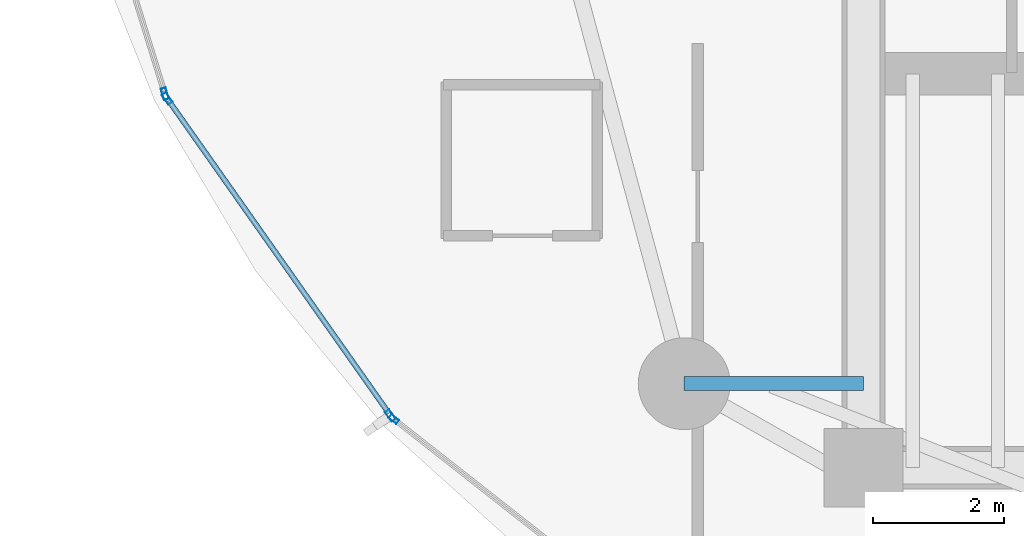
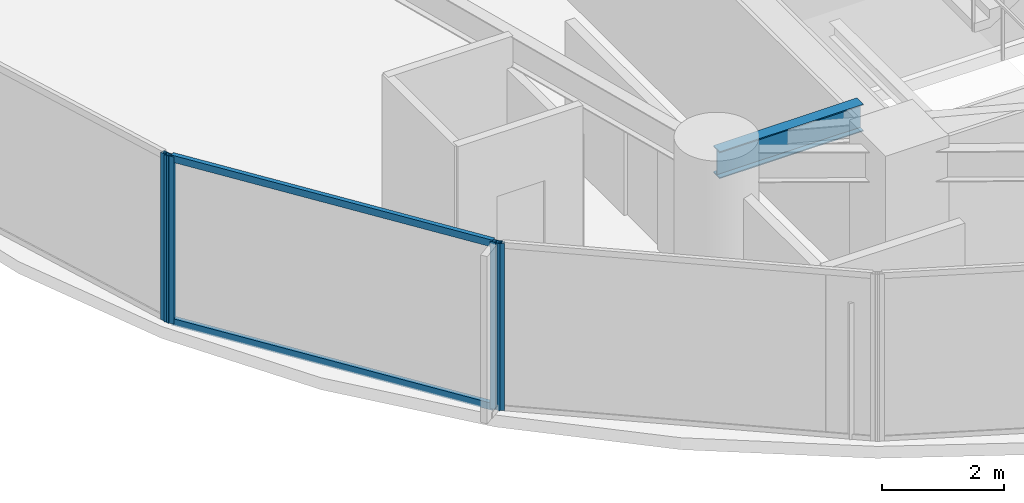
# One storey, part 3 of 31: 6 members, 1 beam, 3 elements without a shape of their own.
"""IFC4 building model written with IfcOpenShell, lengths in metres."""

from ifc_helpers import new_model, si_unit, direction, frame, origin, origin_2d, place, context, subcontext, project, spatial, hollow_rectangle, i_section, extrude, material, layer, layer_set, material_profile, profile_set, type_object, element, aggregate, save


model = new_model("IFC4")

# Units and contexts
model_context = context("Model", 3, precision=1e-05, world=origin(), true_north=direction((0.0, 1.0)))
body_context = subcontext(model_context, "Body", "Model", "MODEL_VIEW")
ifc_project = project(units=[si_unit("LENGTHUNIT", "METRE"), si_unit("AREAUNIT", "SQUARE_METRE"), si_unit("VOLUMEUNIT", "CUBIC_METRE"), si_unit("PLANEANGLEUNIT", "RADIAN"), si_unit("MASSUNIT", "GRAM", prefix="KILO")], contexts=[model_context])

# Site, building, storey
site_placement = place(None, origin())
site = spatial("IfcSite", under=ifc_project, at=site_placement, CompositionType="ELEMENT")
building_placement = place(site_placement, origin())
building = spatial("IfcBuilding", under=site, at=building_placement, Name="Kazevale Care Tower and Concert Hall", CompositionType="ELEMENT")
storey_placement = place(building_placement, frame((0.0, 0.0, 56.39990234375)))
storey = spatial("IfcBuildingStorey", under=building, at=storey_placement, Name="L14", CompositionType="ELEMENT", Elevation=56.39990234375)

# Curtain wall, members
ifc_material_1 = material(Name="Aluminium 6063-T6 and Low-E Glass", Category="aluminium")
ifc_layer_1 = layer(ifc_material_1, 0.179931640625)
ifc_layer_set_1 = layer_set([ifc_layer_1], Name="Aluminium 6063-T6 and Low-E Glass")
curtain_wall_type_1 = type_object("IfcCurtainWallType", Name="Waist & Upper Residential Curtain Wall CW-4", PredefinedType="NOTDEFINED", material=ifc_layer_set_1)
curtain_wall_1_placement = place(storey_placement, origin())
curtain_wall_1 = element("IfcCurtainWall", 1, at=curtain_wall_1_placement, inside=storey, type_object=curtain_wall_type_1, Name="cw:L14:f11", PredefinedType="NOTDEFINED")
ifc_material_2 = material(Name="Aluminium 6063-T6", Category="aluminium")
ifc_material_profile_1 = material_profile(ifc_material_2, hollow_rectangle(XDim=0.080078125, YDim=0.179931640625, WallThickness=0.0048828125, at=origin_2d()), Name="ALU80x180x5")
ifc_profile_set_1 = profile_set([ifc_material_profile_1], Name="Aluminium 6063-T6")
member_type_1 = type_object("IfcMemberType", Name="CW-4 Mullion ALU80x180x5", PredefinedType="MULLION", material=ifc_profile_set_1)
member_1_placement = place(storey_placement, frame((14.794921875, 24.396728515625, 0.0), z_axis=(0.0, 0.0, 1.0), x_axis=(-0.817564654583, -0.575836813322, 0.0)))
member_1 = element("IfcMember", 2, at=member_1_placement, type_object=member_type_1, Name="CW-4 mullion 1", PredefinedType="MULLION", context=body_context, shape_type="SweptSolid", body=[
    extrude(hollow_rectangle(XDim=0.080078125, YDim=0.179931640625, WallThickness=0.0048828125, at=origin_2d()), origin(), (0.0, 0.0, 1.0), 3.360107421875),
])
member_2_placement = place(storey_placement, frame((11.39404296875, 29.225341796875, 0.0), z_axis=(0.0, 0.0, 1.0), x_axis=(-0.817564654583, -0.575836813322, 0.0)))
member_2 = element("IfcMember", 3, at=member_2_placement, type_object=member_type_1, Name="CW-4 mullion 2", PredefinedType="MULLION", context=body_context, shape_type="SweptSolid", body=[
    extrude(hollow_rectangle(XDim=0.080078125, YDim=0.179931640625, WallThickness=0.0048828125, at=origin_2d()), origin(), (0.0, 0.0, 1.0), 3.360107421875),
])

# Curtain wall, member
curtain_wall_2_placement = place(storey_placement, origin())
curtain_wall_2 = element("IfcCurtainWall", 4, at=curtain_wall_2_placement, inside=storey, type_object=curtain_wall_type_1, Name="cw:L14:f12", PredefinedType="NOTDEFINED")
member_3_placement = place(storey_placement, frame((11.359130859375, 29.296142578125, 0.0), z_axis=(0.0, 0.0, 1.0), x_axis=(-0.955157326175, -0.296098771112, 0.0)))
member_3 = element("IfcMember", 5, at=member_3_placement, type_object=member_type_1, Name="CW-4 mullion 1", PredefinedType="MULLION", context=body_context, shape_type="SweptSolid", body=[
    extrude(hollow_rectangle(XDim=0.080078125, YDim=0.179931640625, WallThickness=0.0048828125, at=origin_2d()), origin(), (0.0, 0.0, 1.0), 3.360107421875),
])
aggregate(curtain_wall_2, [member_3])

# Member
ifc_material_profile_2 = material_profile(ifc_material_2, hollow_rectangle(XDim=0.080078125, YDim=0.139892578125, WallThickness=0.00390625, at=origin_2d()), Name="ALU80x140x4")
ifc_profile_set_2 = profile_set([ifc_material_profile_2], Name="Aluminium 6063-T6")
member_type_2 = type_object("IfcMemberType", Name="CW-4 Transom ALU80x140x4", PredefinedType="USERDEFINED", material=ifc_profile_set_2)
member_4_placement = place(storey_placement, frame((14.77197265625, 24.429443359375, 0.0400390625), z_axis=(-0.575850423039, 0.817555068657, 0.0), x_axis=(-0.817555068657, -0.575850423039, 0.0)))
member_4 = element("IfcMember", 6, at=member_4_placement, type_object=member_type_2, Name="CW-4 transom 1.1", ObjectType="TRANSOM", PredefinedType="USERDEFINED", context=body_context, shape_type="SweptSolid", body=[
    extrude(hollow_rectangle(XDim=0.080078125, YDim=0.139892578125, WallThickness=0.00390625, at=origin_2d()), origin(), (0.0, 0.0, 1.0), 5.826171875),
])

member_5_placement = place(storey_placement, frame((14.77197265625, 24.429443359375, 3.320068359375), z_axis=(-0.575850423039, 0.817555068657, 0.0), x_axis=(-0.817555068657, -0.575850423039, 0.0)))
member_5 = element("IfcMember", 7, at=member_5_placement, type_object=member_type_2, Name="CW-4 transom 1.2", ObjectType="TRANSOM", PredefinedType="USERDEFINED", context=body_context, shape_type="SweptSolid", body=[
    extrude(hollow_rectangle(XDim=0.080078125, YDim=0.139892578125, WallThickness=0.00390625, at=origin_2d()), origin(), (0.0, 0.0, 1.0), 5.826171875),
])

aggregate(curtain_wall_1, [member_1, member_2, member_4, member_5])

# Curtain wall, member
ifc_layer_2 = layer(ifc_material_1, 0.179931640625)
ifc_layer_set_2 = layer_set([ifc_layer_2], Name="Aluminium 6063-T6 and Low-E Glass")
curtain_wall_type_2 = type_object("IfcCurtainWallType", Name="Sheltered Concave Balcony Curtain Wall CW-5", PredefinedType="NOTDEFINED", material=ifc_layer_set_2)
curtain_wall_3_placement = place(storey_placement, origin())
curtain_wall_3 = element("IfcCurtainWall", 8, at=curtain_wall_3_placement, inside=storey, type_object=curtain_wall_type_2, Name="cw:L14:f10", PredefinedType="NOTDEFINED")
ifc_material_profile_3 = material_profile(ifc_material_2, hollow_rectangle(XDim=0.074951171875, YDim=0.14990234375, WallThickness=0.00390625, at=origin_2d()), Name="ALU75x150x4")
ifc_profile_set_3 = profile_set([ifc_material_profile_3], Name="Aluminium 6063-T6")
member_type_3 = type_object("IfcMemberType", Name="CW-5 Mullion ALU75x150x4", PredefinedType="MULLION", material=ifc_profile_set_3)
member_6_placement = place(storey_placement, frame((14.847412109375, 24.3408203125, 0.0), z_axis=(0.0, 0.0, 1.0), x_axis=(-0.617807548814, -0.78632934107, 0.0)))
member_6 = element("IfcMember", 9, at=member_6_placement, type_object=member_type_3, Name="CW-5 mullion 2", PredefinedType="MULLION", context=body_context, shape_type="SweptSolid", body=[
    extrude(hollow_rectangle(XDim=0.074951171875, YDim=0.14990234375, WallThickness=0.00390625, at=origin_2d()), origin(), (0.0, 0.0, 1.0), 3.360107421875),
])
aggregate(curtain_wall_3, [member_6])

# Beam
ifc_material_3 = material(Name="Steel ASTM A572 Gr 50", Category="steel")
ifc_material_profile_4 = material_profile(ifc_material_3, i_section(OverallWidth=0.2119140625, OverallDepth=0.5439453125, WebThickness=0.01318359375, FlangeThickness=0.021240234375, at=origin_2d()), Name="W530x123")
ifc_profile_set_4 = profile_set([ifc_material_profile_4], Name="Steel ASTM A572 Gr 50")
beam_type = type_object("IfcBeamType", Name="Radial Floor Girder W530x123", PredefinedType="BEAM", material=ifc_profile_set_4)
beam_placement = place(storey_placement, frame((22.0, 24.8798828125, 3.088134765625), z_axis=(-1.0, 0.0, 0.0), x_axis=(0.0, -1.0, 0.0)))
element("IfcBeam", 10, at=beam_placement, inside=storey, type_object=beam_type, Name="beam:L14:rad:10", PredefinedType="BEAM", context=body_context, shape_type="SweptSolid", body=[
    extrude(i_section(OverallWidth=0.2119140625, OverallDepth=0.5439453125, WebThickness=0.01318359375, FlangeThickness=0.021240234375, at=origin_2d()), origin(), (0.0, 0.0, 1.0), 2.72998046875),
])

save(model, "model.ifc")
